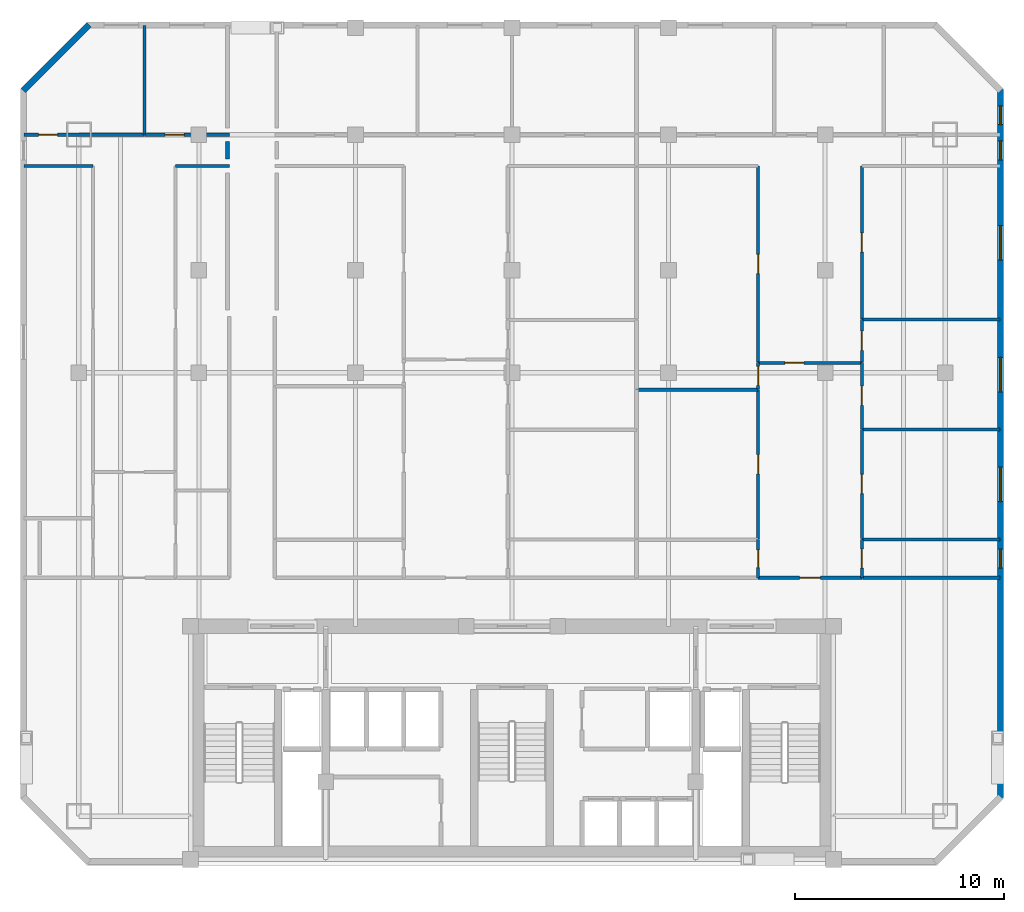
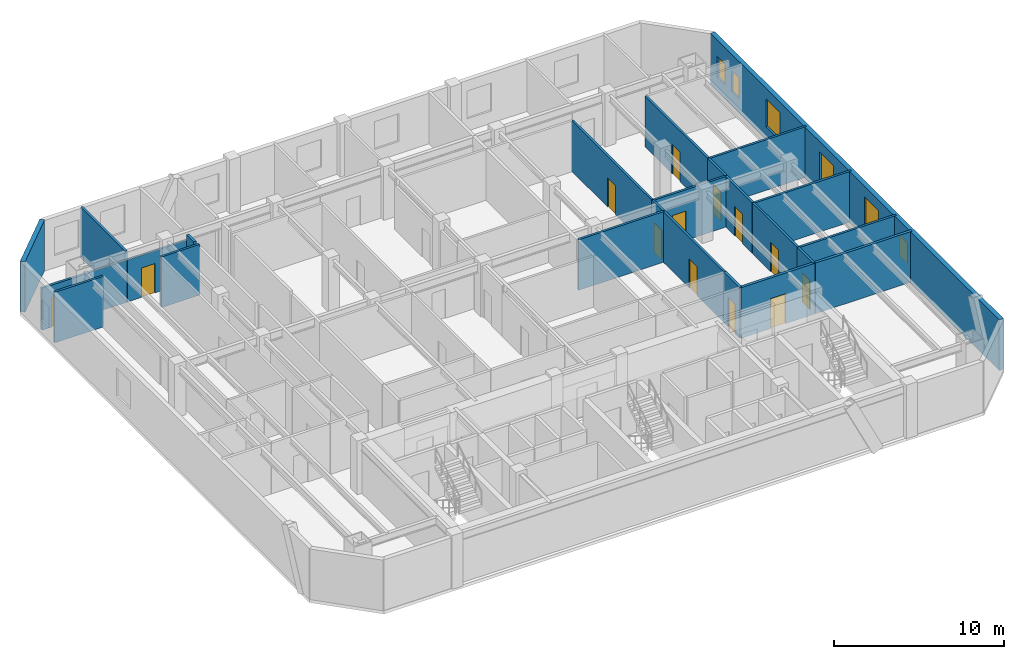
# One storey, part 5 of 8: 24 walls, 13 doors, 6 windows, 19 openings.
"""IFC4 building model written with IfcOpenShell, lengths in metres."""

import ifcopenshell
import ifcopenshell.guid

model = None  # the IFC model being written
_history = None  # IfcOwnerHistory: only IFC2X3 demands one
_inside = {}  # id of a spatial element -> (the spatial element, [elements in it])
_under = {}  # id of a project, library or spatial element -> (it, [spatial elements below it])
_declared = {}  # id of a project -> (the project, [libraries it declares])
_typed = {}  # id of a type object -> (the type object, [elements of that type])
_made_of = {}  # id of a material, layer set ... -> (it, [elements and type objects made of it])


def new_model(schema):
    """Start an empty IFC model of exactly this schema.

    Asked for "IFC4X3", IfcOpenShell would pick the latest addendum, in which some entities
    have other attributes; the version numbers below select the first issue.
    IFC2X3 requires an IfcOwnerHistory on every rooted entity: one is made here for all.
    """
    global model, _history
    if schema == "IFC4X3":
        model = ifcopenshell.file(schema_version=(4, 3, 0, 0))
    else:
        model = ifcopenshell.file(schema=schema)
    _inside.clear()
    _under.clear()
    _declared.clear()
    _typed.clear()
    _made_of.clear()
    _history = None
    if model.schema == "IFC2X3":
        org = make("IfcOrganization", Name="unknown")
        user = make(
            "IfcPersonAndOrganization",
            ThePerson=make("IfcPerson", FamilyName="unknown"),
            TheOrganization=org,
        )
        app = make(
            "IfcApplication",
            ApplicationDeveloper=org,
            Version="unknown",
            ApplicationFullName="unknown",
            ApplicationIdentifier="unknown",
        )
        _history = make(
            "IfcOwnerHistory",
            OwningUser=user,
            OwningApplication=app,
            ChangeAction="ADDED",
            CreationDate=0,
        )
    return model


def make(cls, **values):
    """One entity of the class cls with the attributes given. An attribute that is None is left unset."""
    return model.create_entity(
        cls, **{name: value for name, value in values.items() if value is not None}
    )


def rooted(cls, **values):
    """An entity with a GlobalId (a new one), such as an element, a storey or a relation."""
    return make(cls, GlobalId=ifcopenshell.guid.new(), OwnerHistory=_history, **values)


def si_unit(unit_type, name, prefix=None):
    """IfcSIUnit, for example si_unit("LENGTHUNIT", "METRE", prefix="MILLI")."""
    return make("IfcSIUnit", UnitType=unit_type, Prefix=prefix, Name=name)


def assignment(units):
    """IfcUnitAssignment: the units of a project."""
    return None if units is None else make("IfcUnitAssignment", Units=units)


def point(xyz):
    """IfcCartesianPoint."""
    return None if xyz is None else make("IfcCartesianPoint", Coordinates=xyz)


def direction(xyz):
    """IfcDirection."""
    return None if xyz is None else make("IfcDirection", DirectionRatios=xyz)


def frame(location, z_axis=None, x_axis=None):
    """IfcAxis2Placement3D, a coordinate frame: its origin and axes. An axis left out is left unset."""
    return make(
        "IfcAxis2Placement3D",
        Location=point(location),
        Axis=direction(z_axis),
        RefDirection=direction(x_axis),
    )


def frame_2d(location, x_axis=None):
    """IfcAxis2Placement2D, a coordinate frame in the plane: its origin and x axis."""
    return make(
        "IfcAxis2Placement2D", Location=point(location), RefDirection=direction(x_axis)
    )


def origin():
    """The frame at (0, 0, 0) with its axes left unset."""
    return frame((0.0, 0.0, 0.0))


def place(relative_to, where):
    """IfcLocalPlacement: puts the frame where relative to a parent placement (None: the world)."""
    return make(
        "IfcLocalPlacement", PlacementRelTo=relative_to, RelativePlacement=where
    )


def context(
    kind, dimensions, precision=None, world=None, true_north=None, identifier=None
):
    """IfcGeometricRepresentationContext, for example the 3D "Model" context."""
    return make(
        "IfcGeometricRepresentationContext",
        ContextIdentifier=identifier,
        ContextType=kind,
        CoordinateSpaceDimension=dimensions,
        Precision=precision,
        WorldCoordinateSystem=world,
        TrueNorth=true_north,
    )


def subcontext(parent, identifier, kind, view, scale=None):
    """IfcGeometricRepresentationSubContext, for example "Body" below "Model"."""
    return make(
        "IfcGeometricRepresentationSubContext",
        ContextIdentifier=identifier,
        ContextType=kind,
        ParentContext=parent,
        TargetScale=scale,
        TargetView=view,
    )


def project(units=None, contexts=None):
    """IfcProject with its units and contexts."""
    return rooted(
        "IfcProject",
        Name="project",
        RepresentationContexts=contexts,
        UnitsInContext=assignment(units),
    )


def spatial(cls, under=None, at=None, **own):
    """A site, building, storey or space (cls), placed at a placement, below another one or the project."""
    s = rooted(cls, ObjectPlacement=at, **own)
    if under is not None:
        _under.setdefault(under.id(), (under, []))[1].append(s)
    return s


def profile(cls, at=None, kind="AREA", **sizes):
    """A parametric profile (cls). Its sizes go by their IFC names, for example OverallWidth=200.0."""
    return make(cls, ProfileType=kind, Position=at, **sizes)


def rectangle(**sizes):
    """IfcRectangleProfileDef."""
    return profile("IfcRectangleProfileDef", **sizes)


def extrude(swept, where, along, depth):
    """IfcExtrudedAreaSolid: the profile swept, set in the frame where, extruded along a direction by depth."""
    return make(
        "IfcExtrudedAreaSolid",
        SweptArea=swept,
        Position=where,
        ExtrudedDirection=direction(along),
        Depth=depth,
    )


def shape(context_of_items, identifier, shape_type, items):
    """IfcShapeRepresentation: the items that make up one representation, for example the "Body"."""
    return make(
        "IfcShapeRepresentation",
        ContextOfItems=context_of_items,
        RepresentationIdentifier=identifier,
        RepresentationType=shape_type,
        Items=items,
    )


def material(Name=None, Category=None):
    """IfcMaterial."""
    return make("IfcMaterial", Name=Name, Category=Category)


def layer(
    of_material, thickness, ventilated=None, Name=None, Category=None, Priority=None
):
    """IfcMaterialLayer: one layer of a wall or slab, of a material (None: an air gap)."""
    return make(
        "IfcMaterialLayer",
        Material=of_material,
        LayerThickness=thickness,
        IsVentilated=ventilated,
        Name=Name,
        Category=Category,
        Priority=Priority,
    )


def layer_set(layers, Name=None):
    """IfcMaterialLayerSet."""
    return make("IfcMaterialLayerSet", MaterialLayers=layers, LayerSetName=Name)


def made_of(thing, what):
    """Note that an element or type object is made of a material, layer set ...; save() writes the relation."""
    if what is not None:
        _made_of.setdefault(what.id(), (what, []))[1].append(thing)
    return thing


def type_object(cls, material=None, **own):
    """A type object (cls), such as IfcWallType, which elements share."""
    return made_of(rooted(cls, **own), material)


def element(
    cls,
    number,
    at=None,
    inside=None,
    cuts=None,
    type_object=None,
    material=None,
    context=None,
    identifier="Body",
    shape_type=None,
    held_by="IfcProductDefinitionShape",
    body=None,
    shapes=None,
    **own,
):
    """One element of the class cls, such as IfcWall. Its Tag is "e" and its number.

    at: its placement. inside: the storey or other place that contains it. cuts: it is an
    opening in that element (IfcRelVoidsElement). A single representation is given by context,
    identifier, shape_type and body (its items); several are given by shapes. held_by: the class
    of the entity that holds the representations. save() writes the other relations.
    """
    e = rooted(cls, Tag="e%d" % number, ObjectPlacement=at, **own)
    if body is not None:
        shapes = [shape(context, identifier, shape_type, body)]
    if shapes is not None:
        e.Representation = make(held_by, Representations=shapes)
    if inside is not None:
        _inside.setdefault(inside.id(), (inside, []))[1].append(e)
    if cuts is not None:
        rooted(
            "IfcRelVoidsElement", RelatingBuildingElement=cuts, RelatedOpeningElement=e
        )
    if type_object is not None:
        _typed.setdefault(type_object.id(), (type_object, []))[1].append(e)
    return made_of(e, material)


def fill(opening, filler):
    """IfcRelFillsElement: the door or window that sits in an opening."""
    return rooted(
        "IfcRelFillsElement",
        RelatingOpeningElement=opening,
        RelatedBuildingElement=filler,
    )


def aggregate(whole, parts):
    """IfcRelAggregates: a whole, such as a stair, and the parts it consists of."""
    return rooted("IfcRelAggregates", RelatingObject=whole, RelatedObjects=parts)


def save(model, path):
    """Write the relations noted so far, then the file.

    IfcRelAggregates (storeys below a building ...), IfcRelContainedInSpatialStructure (elements
    in a storey), IfcRelDefinesByType, IfcRelAssociatesMaterial and IfcRelDeclares: one each for
    every whole, place, type object, material and project.
    """
    for whole, parts in _under.values():
        aggregate(whole, parts)
    for where, things in _inside.values():
        rooted(
            "IfcRelContainedInSpatialStructure",
            RelatedElements=things,
            RelatingStructure=where,
        )
    for kind, things in _typed.values():
        rooted("IfcRelDefinesByType", RelatedObjects=things, RelatingType=kind)
    for what, things in _made_of.values():
        rooted("IfcRelAssociatesMaterial", RelatedObjects=things, RelatingMaterial=what)
    for by, libraries in _declared.values():
        rooted("IfcRelDeclares", RelatingContext=by, RelatedDefinitions=libraries)
    model.write(path)


model = new_model("IFC4")

# Units and contexts
model_context = context("Model", 3, precision=1e-05, world=origin(), true_north=direction((0.0, 1.0)))
body_context = subcontext(model_context, "Body", "Model", "MODEL_VIEW")
ifc_project = project(units=[si_unit("LENGTHUNIT", "METRE"), si_unit("AREAUNIT", "SQUARE_METRE"), si_unit("VOLUMEUNIT", "CUBIC_METRE"), si_unit("PLANEANGLEUNIT", "RADIAN"), si_unit("MASSUNIT", "GRAM", prefix="KILO")], contexts=[model_context])

# Site, building, storey
site_placement = place(None, origin())
site = spatial("IfcSite", under=ifc_project, at=site_placement, CompositionType="ELEMENT")
building_placement = place(site_placement, origin())
building = spatial("IfcBuilding", under=site, at=building_placement, Name="Ventersveld Concourse Tower", CompositionType="ELEMENT")
storey_placement = place(building_placement, frame((0.0, 0.0, 160.60009765625)))
storey = spatial("IfcBuildingStorey", under=building, at=storey_placement, Name="L39", CompositionType="ELEMENT", Elevation=160.60009765625)

# Wall, opening, door
ifc_material_1 = material(Name="Fire-rated autoclaved aerated masonry blockwork", Category="masonry")
ifc_layer_1 = layer(ifc_material_1, 0.179931640625)
ifc_layer_set_1 = layer_set([ifc_layer_1], Name="Fire-rated autoclaved aerated masonry blockwork")
wall_type_1 = type_object("IfcWallType", Name="WL-CORR-180", PredefinedType="PARTITIONING", material=ifc_layer_set_1)
wall_1_placement = place(storey_placement, frame((40.531005859375, 13.77001953125, 0.0), z_axis=(0.0, 0.0, 1.0), x_axis=(1.0, 0.0, 0.0)))
wall_1 = element("IfcWall", 1, at=wall_1_placement, inside=storey, type_object=wall_type_1, Name="L39 Interior Partition SP-L39-COR-SP-L39-39N2-FOY", PredefinedType="PARTITIONING", context=body_context, shape_type="SweptSolid", body=[
    extrude(rectangle(XDim=4.989990234375, YDim=0.179931640625, at=frame_2d((2.4951171875, 0.0))), origin(), (0.0, 0.0, 1.0), 3.6298828125),
])
opening_1_placement = place(wall_1_placement, frame((1.9951171875, 0.0, 0.0)))
opening_1 = element("IfcOpeningElement", 2, at=opening_1_placement, cuts=wall_1, Name="Opening FD3", PredefinedType="OPENING", context=body_context, shape_type="SweptSolid", body=[
    extrude(rectangle(XDim=1.0, YDim=2.14990234375, at=frame_2d((0.5, 1.074951171875))), frame((0.0, 0.10009765625, 0.0), z_axis=(0.0, -1.0, 0.0), x_axis=(1.0, 0.0, 0.0)), (0.0, 0.0, 1.0), 0.199951171875),
])
ifc_material_2 = material(Name="Solid-core hardwood veneer timber", Category="wood")
door_type_1 = type_object("IfcDoorType", Name="DR-FLAT-100", OperationType="NOTDEFINED", PredefinedType="DOOR", material=ifc_material_2)
door_1_placement = place(opening_1_placement, origin())
door_1 = element("IfcDoor", 3, at=door_1_placement, inside=storey, type_object=door_type_1, Name="L39 Interior Door SP-L39-COR to SP-L39-39N2-FOY (FD-L39-1909)", OperationType="SINGLE_SWING_LEFT", OverallHeight=2.14990234375, OverallWidth=1.0, PredefinedType="DOOR", context=body_context, shape_type="SweptSolid", body=[
    extrude(rectangle(XDim=1.0, YDim=2.14990234375, at=frame_2d((0.5, 1.074951171875))), frame((0.0, 0.02490234375, 0.0), z_axis=(0.0, -1.0, 0.0), x_axis=(1.0, 0.0, 0.0)), (0.0, 0.0, 1.0), 0.050048828125),
])
fill(opening_1, door_1)

# Walls
wall_2_placement = place(storey_placement, frame((45.551025390625, 13.77001953125, 0.0), z_axis=(0.0, 0.0, 1.0), x_axis=(1.0, 0.0, 0.0)))
element("IfcWall", 4, at=wall_2_placement, inside=storey, type_object=wall_type_1, Name="L39 Interior Partition SP-L39-COR-SP-L39-39N2-KIT", PredefinedType="PARTITIONING", context=body_context, shape_type="SweptSolid", body=[
    extrude(rectangle(XDim=6.576416015625, YDim=0.179931640625, at=frame_2d((3.2880859375, 0.0))), origin(), (0.0, 0.0, 1.0), 3.6298828125),
])
wall_3_placement = place(storey_placement, frame((15.1201171875, 34.675048828125, 0.0), z_axis=(0.0, 0.0, 1.0), x_axis=(0.0, -1.0, 0.0)))
element("IfcWall", 5, at=wall_3_placement, inside=storey, type_object=wall_type_1, Name="L39 Room Enclosure Wall SP-L39-39NW-LIV", PredefinedType="PARTITIONING", context=body_context, shape_type="SweptSolid", body=[
    extrude(rectangle(XDim=0.85009765625, YDim=0.179931640625, at=frame_2d((0.425048828125, 0.0))), origin(), (0.0, 0.0, 1.0), 3.6298828125),
])
ifc_material_3 = material(Name="Autoclaved aerated masonry blockwork", Category="masonry")
ifc_layer_2 = layer(ifc_material_3, 0.14990234375)
ifc_layer_set_2 = layer_set([ifc_layer_2], Name="Autoclaved aerated masonry blockwork")
wall_type_2 = type_object("IfcWallType", Name="WL-INT-150", PredefinedType="PARTITIONING", material=ifc_layer_set_2)
wall_4_placement = place(storey_placement, frame((5.37255859375, 33.5, 0.0), z_axis=(0.0, 0.0, 1.0), x_axis=(1.0, 0.0, 0.0)))
element("IfcWall", 6, at=wall_4_placement, inside=storey, type_object=wall_type_2, Name="L39 Interior Partition SP-L39-39NW-LIV-SP-L39-39NW-OFFL0", PredefinedType="PARTITIONING", context=body_context, shape_type="SweptSolid", body=[
    extrude(rectangle(XDim=3.309814453125, YDim=0.14990234375, at=frame_2d((1.65478515625, 0.0))), origin(), (0.0, 0.0, 1.0), 3.6298828125),
])
wall_5_placement = place(storey_placement, frame((12.63232421875, 33.5, 0.0), z_axis=(0.0, 0.0, 1.0), x_axis=(1.0, 0.0, 0.0)))
element("IfcWall", 7, at=wall_5_placement, inside=storey, type_object=wall_type_2, Name="L39 Interior Partition SP-L39-39NW-LIV-SP-L39-39NW-DENR", PredefinedType="PARTITIONING", context=body_context, shape_type="SweptSolid", body=[
    extrude(rectangle(XDim=2.582763671875, YDim=0.14990234375, at=frame_2d((1.29150390625, 0.0))), origin(), (0.0, 0.0, 1.0), 3.6298828125),
])

# Wall, opening, door
wall_6_placement = place(storey_placement, frame((5.37255859375, 35.0, 0.0), z_axis=(0.0, 0.0, 1.0), x_axis=(1.0, 0.0, 0.0)))
wall_6 = element("IfcWall", 8, at=wall_6_placement, inside=storey, type_object=wall_type_2, Name="L39 Interior Partition SP-L39-39NW-LIV-SP-L39-39NW-BR1", PredefinedType="PARTITIONING", context=body_context, shape_type="SweptSolid", body=[
    extrude(rectangle(XDim=5.771240234375, YDim=0.14990234375, at=frame_2d((2.8857421875, 0.0))), origin(), (0.0, 0.0, 1.0), 3.0126953125),
])
opening_2_placement = place(wall_6_placement, frame((0.6943359375, 0.0, 0.0)))
opening_2 = element("IfcOpeningElement", 9, at=opening_2_placement, cuts=wall_6, Name="Opening ID1", PredefinedType="OPENING", context=body_context, shape_type="SweptSolid", body=[
    extrude(rectangle(XDim=0.919921875, YDim=2.10009765625, at=frame_2d((0.4599609375, 1.050048828125))), frame((0.0, 0.0849609375, 0.0), z_axis=(0.0, -1.0, 0.0), x_axis=(1.0, 0.0, 0.0)), (0.0, 0.0, 1.0), 0.169921875),
])
door_type_2 = type_object("IfcDoorType", Name="DR-ROOM-092", OperationType="NOTDEFINED", PredefinedType="DOOR", material=ifc_material_2)
door_2_placement = place(opening_2_placement, origin())
door_2 = element("IfcDoor", 10, at=door_2_placement, inside=storey, type_object=door_type_2, Name="L39 Interior Door SP-L39-39NW-LIV to SP-L39-39NW-BR1 (D-L39-1916)", OperationType="SINGLE_SWING_RIGHT", OverallHeight=2.10009765625, OverallWidth=0.919921875, PredefinedType="DOOR", context=body_context, shape_type="SweptSolid", body=[
    extrude(rectangle(XDim=0.919921875, YDim=2.10009765625, at=frame_2d((0.4599609375, 1.050048828125))), frame((0.0, 0.02490234375, 0.0), z_axis=(0.0, -1.0, 0.0), x_axis=(1.0, 0.0, 0.0)), (0.0, 0.0, 1.0), 0.050048828125),
])
fill(opening_2, door_2)

wall_7_placement = place(storey_placement, frame((11.173828125, 35.0, 0.0), z_axis=(0.0, 0.0, 1.0), x_axis=(1.0, 0.0, 0.0)))
wall_7 = element("IfcWall", 11, at=wall_7_placement, inside=storey, type_object=wall_type_2, Name="L39 Interior Partition SP-L39-39NW-LIV-SP-L39-39NW-BR2", PredefinedType="PARTITIONING", context=body_context, shape_type="SweptSolid", body=[
    extrude(rectangle(XDim=4.041259765625, YDim=0.14990234375, at=frame_2d((2.0205078125, 0.0))), origin(), (0.0, 0.0, 1.0), 3.0126953125),
])
opening_3_placement = place(wall_7_placement, frame((0.954345703125, 0.0, 0.0)))
opening_3 = element("IfcOpeningElement", 12, at=opening_3_placement, cuts=wall_7, Name="Opening ID1", PredefinedType="OPENING", context=body_context, shape_type="SweptSolid", body=[
    extrude(rectangle(XDim=0.919921875, YDim=2.10009765625, at=frame_2d((0.4599609375, 1.050048828125))), frame((0.0, 0.0849609375, 0.0), z_axis=(0.0, -1.0, 0.0), x_axis=(1.0, 0.0, 0.0)), (0.0, 0.0, 1.0), 0.169921875),
])
door_3_placement = place(opening_3_placement, origin())
door_3 = element("IfcDoor", 13, at=door_3_placement, inside=storey, type_object=door_type_2, Name="L39 Interior Door SP-L39-39NW-LIV to SP-L39-39NW-BR2 (D-L39-1917)", OperationType="SINGLE_SWING_LEFT", OverallHeight=2.10009765625, OverallWidth=0.919921875, PredefinedType="DOOR", context=body_context, shape_type="SweptSolid", body=[
    extrude(rectangle(XDim=0.919921875, YDim=2.10009765625, at=frame_2d((0.4599609375, 1.050048828125))), frame((0.0, 0.02490234375, 0.0), z_axis=(0.0, -1.0, 0.0), x_axis=(1.0, 0.0, 0.0)), (0.0, 0.0, 1.0), 0.050048828125),
])
fill(opening_3, door_3)

# Wall
wall_8_placement = place(storey_placement, frame((11.138916015625, 34.9951171875, 0.0), z_axis=(0.0, 0.0, 1.0), x_axis=(0.0, 1.0, 0.0)))
element("IfcWall", 14, at=wall_8_placement, inside=storey, type_object=wall_type_2, Name="L39 Interior Partition SP-L39-39NW-BR1-SP-L39-39NW-BR2", PredefinedType="PARTITIONING", context=body_context, shape_type="SweptSolid", body=[
    extrude(rectangle(XDim=5.232421875, YDim=0.14990234375, at=frame_2d((2.6162109375, 0.0))), origin(), (0.0, 0.0, 1.0), 3.6298828125),
])

# Wall, opening, door
wall_9_placement = place(storey_placement, frame((40.531005859375, 24.070068359375, 0.0), z_axis=(0.0, 0.0, 1.0), x_axis=(1.0, 0.0, 0.0)))
wall_9 = element("IfcWall", 15, at=wall_9_placement, inside=storey, type_object=wall_type_2, Name="L39 Interior Partition SP-L39-39N2-FOY-SP-L39-39N2-LIV", PredefinedType="PARTITIONING", context=body_context, shape_type="SweptSolid", body=[
    extrude(rectangle(XDim=4.989990234375, YDim=0.14990234375, at=frame_2d((2.4951171875, 0.0))), origin(), (0.0, 0.0, 1.0), 3.6298828125),
])
opening_4_placement = place(wall_9_placement, frame((1.28662109375, 0.0, 0.0)))
opening_4 = element("IfcOpeningElement", 16, at=opening_4_placement, cuts=wall_9, Name="Opening ID1", PredefinedType="OPENING", context=body_context, shape_type="SweptSolid", body=[
    extrude(rectangle(XDim=0.919921875, YDim=2.10009765625, at=frame_2d((0.4599609375, 1.050048828125))), frame((0.0, 0.0849609375, 0.0), z_axis=(0.0, -1.0, 0.0), x_axis=(1.0, 0.0, 0.0)), (0.0, 0.0, 1.0), 0.169921875),
])
door_4_placement = place(opening_4_placement, origin())
door_4 = element("IfcDoor", 17, at=door_4_placement, inside=storey, type_object=door_type_2, Name="L39 Interior Door SP-L39-39N2-FOY to SP-L39-39N2-LIV (D-L39-1931)", OperationType="SINGLE_SWING_LEFT", OverallHeight=2.10009765625, OverallWidth=0.919921875, PredefinedType="DOOR", context=body_context, shape_type="SweptSolid", body=[
    extrude(rectangle(XDim=0.919921875, YDim=2.10009765625, at=frame_2d((0.4599609375, 1.050048828125))), frame((0.0, 0.02490234375, 0.0), z_axis=(0.0, -1.0, 0.0), x_axis=(1.0, 0.0, 0.0)), (0.0, 0.0, 1.0), 0.050048828125),
])
fill(opening_4, door_4)

wall_10_placement = place(storey_placement, frame((40.5361328125, 15.635009765625, 0.0), z_axis=(0.0, 0.0, 1.0), x_axis=(0.0, 1.0, 0.0)))
wall_10 = element("IfcWall", 18, at=wall_10_placement, inside=storey, type_object=wall_type_2, Name="L39 Interior Partition SP-L39-39N2-FOY-SP-L39-39N2-DENL", PredefinedType="PARTITIONING", context=body_context, shape_type="SweptSolid", body=[
    extrude(rectangle(XDim=7.15185546875, YDim=0.14990234375, at=frame_2d((3.575927734375, 0.0))), origin(), (0.0, 0.0, 1.0), 3.6298828125),
])
opening_5_placement = place(wall_10_placement, frame((3.115966796875, 0.0, 0.0)))
opening_5 = element("IfcOpeningElement", 19, at=opening_5_placement, cuts=wall_10, Name="Opening ID1", PredefinedType="OPENING", context=body_context, shape_type="SweptSolid", body=[
    extrude(rectangle(XDim=0.919921875, YDim=2.10009765625, at=frame_2d((0.4599609375, 1.050048828125))), frame((0.0, 0.0849609375, 0.0), z_axis=(0.0, -1.0, 0.0), x_axis=(1.0, 0.0, 0.0)), (0.0, 0.0, 1.0), 0.169921875),
])
door_5_placement = place(opening_5_placement, origin())
door_5 = element("IfcDoor", 20, at=door_5_placement, inside=storey, type_object=door_type_2, Name="L39 Interior Door SP-L39-39N2-FOY to SP-L39-39N2-DENL (D-L39-1933)", OperationType="SINGLE_SWING_LEFT", OverallHeight=2.10009765625, OverallWidth=0.919921875, PredefinedType="DOOR", context=body_context, shape_type="SweptSolid", body=[
    extrude(rectangle(XDim=0.919921875, YDim=2.10009765625, at=frame_2d((0.4599609375, 1.050048828125))), frame((0.0, 0.02490234375, 0.0), z_axis=(0.0, -1.0, 0.0), x_axis=(1.0, 0.0, 0.0)), (0.0, 0.0, 1.0), 0.050048828125),
])
fill(opening_5, door_5)

wall_11_placement = place(storey_placement, frame((40.5361328125, 22.81689453125, 0.0), z_axis=(0.0, 0.0, 1.0), x_axis=(0.0, 1.0, 0.0)))
wall_11 = element("IfcWall", 21, at=wall_11_placement, inside=storey, type_object=wall_type_2, Name="L39 Interior Partition SP-L39-39N2-FOY-SP-L39-39N2-DENL2", PredefinedType="PARTITIONING", context=body_context, shape_type="SweptSolid", body=[
    extrude(rectangle(XDim=1.25830078125, YDim=0.14990234375, at=frame_2d((0.629150390625, 0.0))), origin(), (0.0, 0.0, 1.0), 3.6298828125),
])
opening_6_placement = place(wall_11_placement, frame((0.169189453125, 0.0, 0.0)))
opening_6 = element("IfcOpeningElement", 22, at=opening_6_placement, cuts=wall_11, Name="Opening ID1", PredefinedType="OPENING", context=body_context, shape_type="SweptSolid", body=[
    extrude(rectangle(XDim=0.919921875, YDim=2.10009765625, at=frame_2d((0.4599609375, 1.050048828125))), frame((0.0, 0.0849609375, 0.0), z_axis=(0.0, -1.0, 0.0), x_axis=(1.0, 0.0, 0.0)), (0.0, 0.0, 1.0), 0.169921875),
])
door_6_placement = place(opening_6_placement, origin())
door_6 = element("IfcDoor", 23, at=door_6_placement, inside=storey, type_object=door_type_2, Name="L39 Interior Door SP-L39-39N2-FOY to SP-L39-39N2-DENL2 (D-L39-1934)", OperationType="SINGLE_SWING_RIGHT", OverallHeight=2.10009765625, OverallWidth=0.919921875, PredefinedType="DOOR", context=body_context, shape_type="SweptSolid", body=[
    extrude(rectangle(XDim=0.919921875, YDim=2.10009765625, at=frame_2d((0.4599609375, 1.050048828125))), frame((0.0, 0.02490234375, 0.0), z_axis=(0.0, -1.0, 0.0), x_axis=(1.0, 0.0, 0.0)), (0.0, 0.0, 1.0), 0.050048828125),
])
fill(opening_6, door_6)

wall_12_placement = place(storey_placement, frame((45.51611328125, 13.764892578125, 0.0), z_axis=(0.0, 0.0, 1.0), x_axis=(0.0, 1.0, 0.0)))
wall_12 = element("IfcWall", 24, at=wall_12_placement, inside=storey, type_object=wall_type_2, Name="L39 Interior Partition SP-L39-39N2-FOY-SP-L39-39N2-KIT", PredefinedType="PARTITIONING", context=body_context, shape_type="SweptSolid", body=[
    extrude(rectangle(XDim=1.852783203125, YDim=0.14990234375, at=frame_2d((0.92626953125, 0.0))), origin(), (0.0, 0.0, 1.0), 3.6298828125),
])
opening_7_placement = place(wall_12_placement, frame((0.46630859375, 0.0, 0.0)))
opening_7 = element("IfcOpeningElement", 25, at=opening_7_placement, cuts=wall_12, Name="Opening ID1", PredefinedType="OPENING", context=body_context, shape_type="SweptSolid", body=[
    extrude(rectangle(XDim=0.919921875, YDim=2.10009765625, at=frame_2d((0.4599609375, 1.050048828125))), frame((0.0, 0.0849609375, 0.0), z_axis=(0.0, -1.0, 0.0), x_axis=(1.0, 0.0, 0.0)), (0.0, 0.0, 1.0), 0.169921875),
])
door_7_placement = place(opening_7_placement, origin())
door_7 = element("IfcDoor", 26, at=door_7_placement, inside=storey, type_object=door_type_2, Name="L39 Interior Door SP-L39-39N2-FOY to SP-L39-39N2-KIT (D-L39-1935)", OperationType="SINGLE_SWING_LEFT", OverallHeight=2.10009765625, OverallWidth=0.919921875, PredefinedType="DOOR", context=body_context, shape_type="SweptSolid", body=[
    extrude(rectangle(XDim=0.919921875, YDim=2.10009765625, at=frame_2d((0.4599609375, 1.050048828125))), frame((0.0, 0.02490234375, 0.0), z_axis=(0.0, -1.0, 0.0), x_axis=(1.0, 0.0, 0.0)), (0.0, 0.0, 1.0), 0.050048828125),
])
fill(opening_7, door_7)

wall_13_placement = place(storey_placement, frame((45.51611328125, 15.647705078125, 0.0), z_axis=(0.0, 0.0, 1.0), x_axis=(0.0, 1.0, 0.0)))
wall_13 = element("IfcWall", 27, at=wall_13_placement, inside=storey, type_object=wall_type_2, Name="L39 Interior Partition SP-L39-39N2-FOY-SP-L39-39N2-DENR", PredefinedType="PARTITIONING", context=body_context, shape_type="SweptSolid", body=[
    extrude(rectangle(XDim=5.233642578125, YDim=0.14990234375, at=frame_2d((2.61669921875, 0.0))), origin(), (0.0, 0.0, 1.0), 3.6298828125),
])
opening_8_placement = place(wall_13_placement, frame((2.156982421875, 0.0, 0.0)))
opening_8 = element("IfcOpeningElement", 28, at=opening_8_placement, cuts=wall_13, Name="Opening ID1", PredefinedType="OPENING", context=body_context, shape_type="SweptSolid", body=[
    extrude(rectangle(XDim=0.919921875, YDim=2.10009765625, at=frame_2d((0.4599609375, 1.050048828125))), frame((0.0, 0.0849609375, 0.0), z_axis=(0.0, -1.0, 0.0), x_axis=(1.0, 0.0, 0.0)), (0.0, 0.0, 1.0), 0.169921875),
])
door_8_placement = place(opening_8_placement, origin())
door_8 = element("IfcDoor", 29, at=door_8_placement, inside=storey, type_object=door_type_2, Name="L39 Interior Door SP-L39-39N2-FOY to SP-L39-39N2-DENR (D-L39-1936)", OperationType="SINGLE_SWING_RIGHT", OverallHeight=2.10009765625, OverallWidth=0.919921875, PredefinedType="DOOR", context=body_context, shape_type="SweptSolid", body=[
    extrude(rectangle(XDim=0.919921875, YDim=2.10009765625, at=frame_2d((0.4599609375, 1.050048828125))), frame((0.0, 0.02490234375, 0.0), z_axis=(0.0, -1.0, 0.0), x_axis=(1.0, 0.0, 0.0)), (0.0, 0.0, 1.0), 0.050048828125),
])
fill(opening_8, door_8)

wall_14_placement = place(storey_placement, frame((45.51611328125, 20.911376953125, 0.0), z_axis=(0.0, 0.0, 1.0), x_axis=(0.0, 1.0, 0.0)))
wall_14 = element("IfcWall", 30, at=wall_14_placement, inside=storey, type_object=wall_type_2, Name="L39 Interior Partition SP-L39-39N2-FOY-SP-L39-39N2-DENS", PredefinedType="PARTITIONING", context=body_context, shape_type="SweptSolid", body=[
    extrude(rectangle(XDim=3.163818359375, YDim=0.14990234375, at=frame_2d((1.58203125, 0.0))), origin(), (0.0, 0.0, 1.0), 3.6298828125),
])
opening_9_placement = place(wall_14_placement, frame((1.121826171875, 0.0, 0.0)))
opening_9 = element("IfcOpeningElement", 31, at=opening_9_placement, cuts=wall_14, Name="Opening ID1", PredefinedType="OPENING", context=body_context, shape_type="SweptSolid", body=[
    extrude(rectangle(XDim=0.919921875, YDim=2.10009765625, at=frame_2d((0.4599609375, 1.050048828125))), frame((0.0, 0.0849609375, 0.0), z_axis=(0.0, -1.0, 0.0), x_axis=(1.0, 0.0, 0.0)), (0.0, 0.0, 1.0), 0.169921875),
])
door_9_placement = place(opening_9_placement, origin())
door_9 = element("IfcDoor", 32, at=door_9_placement, inside=storey, type_object=door_type_2, Name="L39 Interior Door SP-L39-39N2-FOY to SP-L39-39N2-DENS (D-L39-1937)", OperationType="SINGLE_SWING_LEFT", OverallHeight=2.10009765625, OverallWidth=0.919921875, PredefinedType="DOOR", context=body_context, shape_type="SweptSolid", body=[
    extrude(rectangle(XDim=0.919921875, YDim=2.10009765625, at=frame_2d((0.4599609375, 1.050048828125))), frame((0.0, 0.02490234375, 0.0), z_axis=(0.0, -1.0, 0.0), x_axis=(1.0, 0.0, 0.0)), (0.0, 0.0, 1.0), 0.050048828125),
])
fill(opening_9, door_9)

wall_15_placement = place(storey_placement, frame((40.5361328125, 24.10498046875, 0.0), z_axis=(0.0, 0.0, 1.0), x_axis=(0.0, 1.0, 0.0)))
wall_15 = element("IfcWall", 33, at=wall_15_placement, inside=storey, type_object=wall_type_2, Name="L39 Interior Partition SP-L39-39N2-LIV-SP-L39-39N2-DENL2", PredefinedType="PARTITIONING", context=body_context, shape_type="SweptSolid", body=[
    extrude(rectangle(XDim=9.39990234375, YDim=0.14990234375, at=frame_2d((4.699951171875, 0.0))), origin(), (0.0, 0.0, 1.0), 3.6298828125),
])
opening_10_placement = place(wall_15_placement, frame((4.239990234375, 0.0, 0.0)))
opening_10 = element("IfcOpeningElement", 34, at=opening_10_placement, cuts=wall_15, Name="Opening ID1", PredefinedType="OPENING", context=body_context, shape_type="SweptSolid", body=[
    extrude(rectangle(XDim=0.919921875, YDim=2.10009765625, at=frame_2d((0.4599609375, 1.050048828125))), frame((0.0, 0.0849609375, 0.0), z_axis=(0.0, -1.0, 0.0), x_axis=(1.0, 0.0, 0.0)), (0.0, 0.0, 1.0), 0.169921875),
])
door_10_placement = place(opening_10_placement, origin())
door_10 = element("IfcDoor", 35, at=door_10_placement, inside=storey, type_object=door_type_2, Name="L39 Interior Door SP-L39-39N2-LIV to SP-L39-39N2-DENL2 (D-L39-1938)", OperationType="SINGLE_SWING_RIGHT", OverallHeight=2.10009765625, OverallWidth=0.919921875, PredefinedType="DOOR", context=body_context, shape_type="SweptSolid", body=[
    extrude(rectangle(XDim=0.919921875, YDim=2.10009765625, at=frame_2d((0.4599609375, 1.050048828125))), frame((0.0, 0.02490234375, 0.0), z_axis=(0.0, -1.0, 0.0), x_axis=(1.0, 0.0, 0.0)), (0.0, 0.0, 1.0), 0.050048828125),
])
fill(opening_10, door_10)

wall_16_placement = place(storey_placement, frame((45.51611328125, 24.10498046875, 0.0), z_axis=(0.0, 0.0, 1.0), x_axis=(0.0, 1.0, 0.0)))
wall_16 = element("IfcWall", 36, at=wall_16_placement, inside=storey, type_object=wall_type_2, Name="L39 Interior Partition SP-L39-39N2-LIV-SP-L39-39N2-DENS", PredefinedType="PARTITIONING", context=body_context, shape_type="SweptSolid", body=[
    extrude(rectangle(XDim=2.0400390625, YDim=0.14990234375, at=frame_2d((1.02001953125, 0.0))), origin(), (0.0, 0.0, 1.0), 3.6298828125),
])
opening_11_placement = place(wall_16_placement, frame((0.56005859375, 0.0, 0.0)))
opening_11 = element("IfcOpeningElement", 37, at=opening_11_placement, cuts=wall_16, Name="Opening ID1", PredefinedType="OPENING", context=body_context, shape_type="SweptSolid", body=[
    extrude(rectangle(XDim=0.919921875, YDim=2.10009765625, at=frame_2d((0.4599609375, 1.050048828125))), frame((0.0, 0.0849609375, 0.0), z_axis=(0.0, -1.0, 0.0), x_axis=(1.0, 0.0, 0.0)), (0.0, 0.0, 1.0), 0.169921875),
])
door_11_placement = place(opening_11_placement, origin())
door_11 = element("IfcDoor", 38, at=door_11_placement, inside=storey, type_object=door_type_2, Name="L39 Interior Door SP-L39-39N2-LIV to SP-L39-39N2-DENS (D-L39-1939)", OperationType="SINGLE_SWING_LEFT", OverallHeight=2.10009765625, OverallWidth=0.919921875, PredefinedType="DOOR", context=body_context, shape_type="SweptSolid", body=[
    extrude(rectangle(XDim=0.919921875, YDim=2.10009765625, at=frame_2d((0.4599609375, 1.050048828125))), frame((0.0, 0.02490234375, 0.0), z_axis=(0.0, -1.0, 0.0), x_axis=(1.0, 0.0, 0.0)), (0.0, 0.0, 1.0), 0.050048828125),
])
fill(opening_11, door_11)

wall_17_placement = place(storey_placement, frame((45.51611328125, 26.175048828125, 0.0), z_axis=(0.0, 0.0, 1.0), x_axis=(0.0, 1.0, 0.0)))
wall_17 = element("IfcWall", 39, at=wall_17_placement, inside=storey, type_object=wall_type_2, Name="L39 Interior Partition SP-L39-39N2-LIV-SP-L39-39N2-DENS2", PredefinedType="PARTITIONING", context=body_context, shape_type="SweptSolid", body=[
    extrude(rectangle(XDim=7.329833984375, YDim=0.14990234375, at=frame_2d((3.6650390625, 0.0))), origin(), (0.0, 0.0, 1.0), 3.6298828125),
])
opening_12_placement = place(wall_17_placement, frame((3.205078125, 0.0, 0.0)))
opening_12 = element("IfcOpeningElement", 40, at=opening_12_placement, cuts=wall_17, Name="Opening ID1", PredefinedType="OPENING", context=body_context, shape_type="SweptSolid", body=[
    extrude(rectangle(XDim=0.919921875, YDim=2.10009765625, at=frame_2d((0.4599609375, 1.050048828125))), frame((0.0, 0.0849609375, 0.0), z_axis=(0.0, -1.0, 0.0), x_axis=(1.0, 0.0, 0.0)), (0.0, 0.0, 1.0), 0.169921875),
])
door_12_placement = place(opening_12_placement, origin())
door_12 = element("IfcDoor", 41, at=door_12_placement, inside=storey, type_object=door_type_2, Name="L39 Interior Door SP-L39-39N2-LIV to SP-L39-39N2-DENS2 (D-L39-1940)", OperationType="SINGLE_SWING_RIGHT", OverallHeight=2.10009765625, OverallWidth=0.919921875, PredefinedType="DOOR", context=body_context, shape_type="SweptSolid", body=[
    extrude(rectangle(XDim=0.919921875, YDim=2.10009765625, at=frame_2d((0.4599609375, 1.050048828125))), frame((0.0, 0.02490234375, 0.0), z_axis=(0.0, -1.0, 0.0), x_axis=(1.0, 0.0, 0.0)), (0.0, 0.0, 1.0), 0.050048828125),
])
fill(opening_12, door_12)

# Walls
wall_18_placement = place(storey_placement, frame((34.715087890625, 22.78173828125, 0.0), z_axis=(0.0, 0.0, 1.0), x_axis=(1.0, 0.0, 0.0)))
element("IfcWall", 42, at=wall_18_placement, inside=storey, type_object=wall_type_2, Name="L39 Interior Partition SP-L39-39N2-DENL-SP-L39-39N2-DENL2", PredefinedType="PARTITIONING", context=body_context, shape_type="SweptSolid", body=[
    extrude(rectangle(XDim=5.825927734375, YDim=0.14990234375, at=frame_2d((2.9130859375, 0.0))), origin(), (0.0, 0.0, 1.0), 3.6298828125),
])
for number, where, z_axis, x_axis, name in (
    (43, (45.510986328125, 15.61279296875, 0.0), (0.0, 0.0, 1.0), (1.0, 0.0, 0.0), "L39 Interior Partition SP-L39-39N2-KIT-SP-L39-39N2-DENR"),
    (44, (45.510986328125, 20.87646484375, 0.0), (0.0, 0.0, 1.0), (1.0, 0.0, 0.0), "L39 Interior Partition SP-L39-39N2-DENR-SP-L39-39N2-DENS"),
    (45, (45.510986328125, 26.14013671875, 0.0), (0.0, 0.0, 1.0), (1.0, 0.0, 0.0), "L39 Interior Partition SP-L39-39N2-DENS-SP-L39-39N2-DENS2"),
):
    element("IfcWall", number, at=place(storey_placement, frame(where, z_axis=z_axis, x_axis=x_axis)), inside=storey, type_object=wall_type_2, Name=name, PredefinedType="PARTITIONING", context=body_context, shape_type="SweptSolid", body=[
        extrude(rectangle(XDim=6.616455078125, YDim=0.14990234375, at=frame_2d((3.30810546875, 0.0))), origin(), (0.0, 0.0, 1.0), 3.6298828125),
    ])

# Wall, openings, windows
ifc_material_4 = material(Name="Precast concrete C45/55", Category="concrete")
ifc_layer_3 = layer(ifc_material_4, 0.300048828125)
ifc_layer_set_3 = layer_set([ifc_layer_3], Name="Precast concrete C45/55")
wall_type_3 = type_object("IfcWallType", Name="WL-PREC-300", PredefinedType="SOLIDWALL", material=ifc_layer_set_3)
wall_19_placement = place(storey_placement, frame((52.14990234375, 3.239990234375, 0.0), z_axis=(0.0, 0.0, 1.0), x_axis=(0.0, 1.0, 0.0)))
wall_19 = element("IfcWall", 46, at=wall_19_placement, inside=storey, type_object=wall_type_3, Name="L39 Highveld Precast Facade Wall E03", PredefinedType="SOLIDWALL", context=body_context, shape_type="SweptSolid", body=[
    extrude(rectangle(XDim=33.919921875, YDim=0.300048828125, at=frame_2d((16.9599609375, 0.0))), origin(), (0.0, 0.0, 1.0), 3.6298828125),
])
opening_13_placement = place(wall_19_placement, frame((30.56005859375, 0.0, 0.949951171875)))
opening_13 = element("IfcOpeningElement", 47, at=opening_13_placement, cuts=wall_19, Name="Opening W4", PredefinedType="OPENING", context=body_context, shape_type="SweptSolid", body=[
    extrude(rectangle(XDim=0.89990234375, YDim=1.5, at=frame_2d((0.449951171875, 0.75))), frame((0.0, 0.16015625, 0.0), z_axis=(0.0, -1.0, 0.0), x_axis=(1.0, 0.0, 0.0)), (0.0, 0.0, 1.0), 0.320068359375),
])
opening_14_placement = place(wall_19_placement, frame((11.00146484375, 0.0, 0.949951171875)))
opening_14 = element("IfcOpeningElement", 48, at=opening_14_placement, cuts=wall_19, Name="Opening W4", PredefinedType="OPENING", context=body_context, shape_type="SweptSolid", body=[
    extrude(rectangle(XDim=0.89990234375, YDim=1.5, at=frame_2d((0.449951171875, 0.75))), frame((0.0, 0.16015625, 0.0), z_axis=(0.0, -1.0, 0.0), x_axis=(1.0, 0.0, 0.0)), (0.0, 0.0, 1.0), 0.320068359375),
])
opening_15_placement = place(wall_19_placement, frame((14.1796875, 0.0, 0.8798828125)))
opening_15 = element("IfcOpeningElement", 49, at=opening_15_placement, cuts=wall_19, Name="Opening W6", PredefinedType="OPENING", context=body_context, shape_type="SweptSolid", body=[
    extrude(rectangle(XDim=1.64990234375, YDim=2.0, at=frame_2d((0.824951171875, 1.0))), frame((0.0, 0.16015625, 0.0), z_axis=(0.0, -1.0, 0.0), x_axis=(1.0, 0.0, 0.0)), (0.0, 0.0, 1.0), 0.320068359375),
])
opening_16_placement = place(wall_19_placement, frame((19.443359375, 0.0, 0.8798828125)))
opening_16 = element("IfcOpeningElement", 50, at=opening_16_placement, cuts=wall_19, Name="Opening W6", PredefinedType="OPENING", context=body_context, shape_type="SweptSolid", body=[
    extrude(rectangle(XDim=1.64990234375, YDim=2.0, at=frame_2d((0.824951171875, 1.0))), frame((0.0, 0.16015625, 0.0), z_axis=(0.0, -1.0, 0.0), x_axis=(1.0, 0.0, 0.0)), (0.0, 0.0, 1.0), 0.320068359375),
])
opening_17_placement = place(wall_19_placement, frame((25.7548828125, 0.0, 0.8798828125)))
opening_17 = element("IfcOpeningElement", 51, at=opening_17_placement, cuts=wall_19, Name="Opening W6", PredefinedType="OPENING", context=body_context, shape_type="SweptSolid", body=[
    extrude(rectangle(XDim=1.64990234375, YDim=2.0, at=frame_2d((0.824951171875, 1.0))), frame((0.0, 0.16015625, 0.0), z_axis=(0.0, -1.0, 0.0), x_axis=(1.0, 0.0, 0.0)), (0.0, 0.0, 1.0), 0.320068359375),
])
opening_18_placement = place(wall_19_placement, frame((32.239990234375, 0.0, 0.949951171875)))
opening_18 = element("IfcOpeningElement", 52, at=opening_18_placement, cuts=wall_19, Name="Opening W4", PredefinedType="OPENING", context=body_context, shape_type="SweptSolid", body=[
    extrude(rectangle(XDim=0.89990234375, YDim=1.5, at=frame_2d((0.449951171875, 0.75))), frame((0.0, 0.16015625, 0.0), z_axis=(0.0, -1.0, 0.0), x_axis=(1.0, 0.0, 0.0)), (0.0, 0.0, 1.0), 0.320068359375),
])
ifc_material_5 = material(Name="Tempered acoustic Low-E IGU", Category="glass")
window_type_1 = type_object("IfcWindowType", Name="WIN-090x150", PartitioningType="SINGLE_PANEL", PredefinedType="WINDOW", material=ifc_material_5)
window_1_placement = place(opening_13_placement, origin())
window_1 = element("IfcWindow", 53, at=window_1_placement, inside=storey, type_object=window_type_1, Name="L39 Punched Low-E Window W-0524", OverallHeight=1.5, OverallWidth=0.89990234375, PartitioningType="SINGLE_PANEL", PredefinedType="WINDOW", context=body_context, shape_type="SweptSolid", body=[
    extrude(rectangle(XDim=0.89990234375, YDim=1.5, at=frame_2d((0.449951171875, 0.75))), frame((0.0, 0.030029296875, 0.0), z_axis=(0.0, -1.0, 0.0), x_axis=(1.0, 0.0, 0.0)), (0.0, 0.0, 1.0), 0.06005859375),
])
fill(opening_13, window_1)
window_2_placement = place(opening_14_placement, origin())
window_2 = element("IfcWindow", 54, at=window_2_placement, inside=storey, type_object=window_type_1, Name="L39 Punched Low-E Window W-0525", OverallHeight=1.5, OverallWidth=0.89990234375, PartitioningType="SINGLE_PANEL", PredefinedType="WINDOW", context=body_context, shape_type="SweptSolid", body=[
    extrude(rectangle(XDim=0.89990234375, YDim=1.5, at=frame_2d((0.449951171875, 0.75))), frame((0.0, 0.030029296875, 0.0), z_axis=(0.0, -1.0, 0.0), x_axis=(1.0, 0.0, 0.0)), (0.0, 0.0, 1.0), 0.06005859375),
])
fill(opening_14, window_2)
window_3_placement = place(opening_18_placement, origin())
window_3 = element("IfcWindow", 55, at=window_3_placement, inside=storey, type_object=window_type_1, Name="L39 Punched Low-E Window W-0531", OverallHeight=1.5, OverallWidth=0.89990234375, PartitioningType="SINGLE_PANEL", PredefinedType="WINDOW", context=body_context, shape_type="SweptSolid", body=[
    extrude(rectangle(XDim=0.89990234375, YDim=1.5, at=frame_2d((0.449951171875, 0.75))), frame((0.0, 0.030029296875, 0.0), z_axis=(0.0, -1.0, 0.0), x_axis=(1.0, 0.0, 0.0)), (0.0, 0.0, 1.0), 0.06005859375),
])
fill(opening_18, window_3)
window_type_2 = type_object("IfcWindowType", Name="WIN-165x200", PartitioningType="SINGLE_PANEL", PredefinedType="WINDOW", material=ifc_material_5)
window_4_placement = place(opening_15_placement, origin())
window_4 = element("IfcWindow", 56, at=window_4_placement, inside=storey, type_object=window_type_2, Name="L39 Punched Low-E Window W-0526", OverallHeight=2.0, OverallWidth=1.64990234375, PartitioningType="SINGLE_PANEL", PredefinedType="WINDOW", context=body_context, shape_type="SweptSolid", body=[
    extrude(rectangle(XDim=1.64990234375, YDim=2.0, at=frame_2d((0.824951171875, 1.0))), frame((0.0, 0.030029296875, 0.0), z_axis=(0.0, -1.0, 0.0), x_axis=(1.0, 0.0, 0.0)), (0.0, 0.0, 1.0), 0.06005859375),
])
fill(opening_15, window_4)
window_5_placement = place(opening_16_placement, origin())
window_5 = element("IfcWindow", 57, at=window_5_placement, inside=storey, type_object=window_type_2, Name="L39 Punched Low-E Window W-0527", OverallHeight=2.0, OverallWidth=1.64990234375, PartitioningType="SINGLE_PANEL", PredefinedType="WINDOW", context=body_context, shape_type="SweptSolid", body=[
    extrude(rectangle(XDim=1.64990234375, YDim=2.0, at=frame_2d((0.824951171875, 1.0))), frame((0.0, 0.030029296875, 0.0), z_axis=(0.0, -1.0, 0.0), x_axis=(1.0, 0.0, 0.0)), (0.0, 0.0, 1.0), 0.06005859375),
])
fill(opening_16, window_5)
window_6_placement = place(opening_17_placement, origin())
window_6 = element("IfcWindow", 58, at=window_6_placement, inside=storey, type_object=window_type_2, Name="L39 Punched Low-E Window W-0528", OverallHeight=2.0, OverallWidth=1.64990234375, PartitioningType="SINGLE_PANEL", PredefinedType="WINDOW", context=body_context, shape_type="SweptSolid", body=[
    extrude(rectangle(XDim=1.64990234375, YDim=2.0, at=frame_2d((0.824951171875, 1.0))), frame((0.0, 0.030029296875, 0.0), z_axis=(0.0, -1.0, 0.0), x_axis=(1.0, 0.0, 0.0)), (0.0, 0.0, 1.0), 0.06005859375),
])
fill(opening_17, window_6)

# Wall
wall_20_placement = place(storey_placement, frame((8.477783203125, 40.265625, 0.0), z_axis=(0.0, 0.0, 1.0), x_axis=(-0.707106781187, -0.707106781187, 0.0)))
element("IfcWall", 59, at=wall_20_placement, inside=storey, type_object=wall_type_3, Name="L39 Highveld Precast Facade Wall E06", PredefinedType="SOLIDWALL", context=body_context, shape_type="SweptSolid", body=[
    extrude(rectangle(XDim=4.4453125, YDim=0.300048828125, at=frame_2d((2.22265625, 0.0))), origin(), (0.0, 0.0, 1.0), 3.6298828125),
])

# Wall, opening, door
ifc_layer_4 = layer(ifc_material_3, 0.1650390625)
ifc_layer_set_4 = layer_set([ifc_layer_4], Name="Autoclaved aerated masonry blockwork")
wall_type_4 = type_object("IfcWallType", Name="WL-WET-165", PredefinedType="PLUMBINGWALL", material=ifc_layer_set_4)
wall_21_placement = place(storey_placement, frame((40.5361328125, 13.764892578125, 0.0), z_axis=(0.0, 0.0, 1.0), x_axis=(0.0, 1.0, 0.0)))
wall_21 = element("IfcWall", 60, at=wall_21_placement, inside=storey, type_object=wall_type_4, Name="L39 Interior Partition SP-L39-39N2-FOY-SP-L39-39N2-BATH", PredefinedType="PLUMBINGWALL", context=body_context, shape_type="SweptSolid", body=[
    extrude(rectangle(XDim=1.840087890625, YDim=0.1650390625, at=frame_2d((0.919921875, 0.0))), origin(), (0.0, 0.0, 1.0), 3.6298828125),
])
opening_19_placement = place(wall_21_placement, frame((0.4951171875, 0.0, 0.0)))
opening_19 = element("IfcOpeningElement", 61, at=opening_19_placement, cuts=wall_21, Name="Opening ID2", PredefinedType="OPENING", context=body_context, shape_type="SweptSolid", body=[
    extrude(rectangle(XDim=0.85009765625, YDim=2.10009765625, at=frame_2d((0.425048828125, 1.050048828125))), frame((0.0, 0.092529296875, 0.0), z_axis=(0.0, -1.0, 0.0), x_axis=(1.0, 0.0, 0.0)), (0.0, 0.0, 1.0), 0.18505859375),
])
door_type_3 = type_object("IfcDoorType", Name="DR-BATH-085", OperationType="NOTDEFINED", PredefinedType="DOOR", material=ifc_material_2)
door_13_placement = place(opening_19_placement, origin())
door_13 = element("IfcDoor", 62, at=door_13_placement, inside=storey, type_object=door_type_3, Name="L39 Interior Door SP-L39-39N2-FOY to SP-L39-39N2-BATH (D-L39-1932)", OperationType="SINGLE_SWING_RIGHT", OverallHeight=2.10009765625, OverallWidth=0.85009765625, PredefinedType="DOOR", context=body_context, shape_type="SweptSolid", body=[
    extrude(rectangle(XDim=0.85009765625, YDim=2.10009765625, at=frame_2d((0.425048828125, 1.050048828125))), frame((0.0, 0.02490234375, 0.0), z_axis=(0.0, -1.0, 0.0), x_axis=(1.0, 0.0, 0.0)), (0.0, 0.0, 1.0), 0.050048828125),
])
fill(opening_19, door_13)

save(model, "model.ifc")
